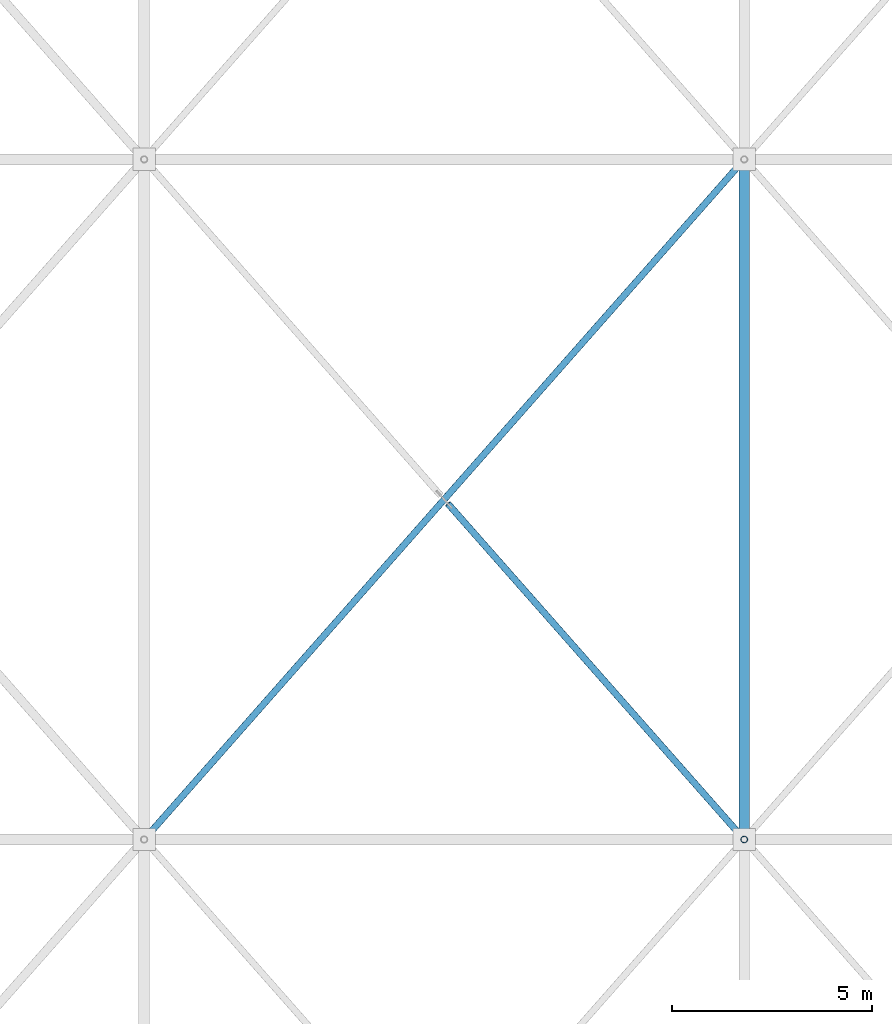
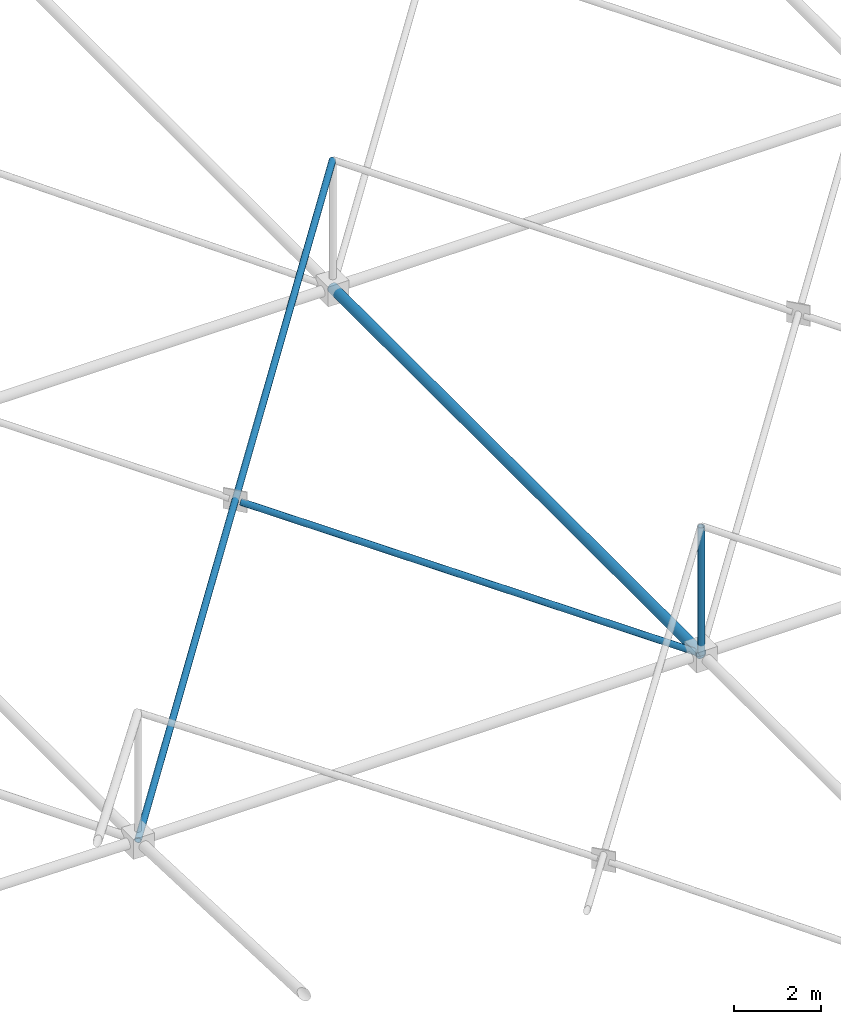
# One storey, part 39 of 224: 4 members.
"""IFC4 building model written with IfcOpenShell, lengths in metres."""

from ifc_helpers import new_model, si_unit, direction, frame, origin, origin_2d, place, context, subcontext, project, spatial, hollow_circle, extrude, material, material_profile, profile_set, type_object, element, save


model = new_model("IFC4")

# Units and contexts
model_context = context("Model", 3, precision=1e-05, world=origin(), true_north=direction((0.0, 1.0)))
body_context = subcontext(model_context, "Body", "Model", "MODEL_VIEW")
ifc_project = project(units=[si_unit("LENGTHUNIT", "METRE"), si_unit("AREAUNIT", "SQUARE_METRE"), si_unit("VOLUMEUNIT", "CUBIC_METRE"), si_unit("PLANEANGLEUNIT", "RADIAN"), si_unit("MASSUNIT", "GRAM", prefix="KILO")], contexts=[model_context])

# Site, building, storey
site_placement = place(None, origin())
site = spatial("IfcSite", under=ifc_project, at=site_placement, CompositionType="ELEMENT")
building_placement = place(site_placement, origin())
building = spatial("IfcBuilding", under=site, at=building_placement, Name="Qamarlyn Nura Convention Centre", CompositionType="ELEMENT")
storey_placement = place(building_placement, frame((0.0, 0.0, 10.800048828125)))
storey = spatial("IfcBuildingStorey", under=building, at=storey_placement, Name="L02", CompositionType="ELEMENT", Elevation=10.800048828125)

# Members
ifc_material = material(Name="Pearl-white PVDF steel ASTM A500 Grade C", Category="steel")
ifc_material_profile_1 = material_profile(ifc_material, hollow_circle(Radius=0.136474609375, WallThickness=0.012451171875, at=origin_2d()), Name="CHS273X12.5")
ifc_profile_set_1 = profile_set([ifc_material_profile_1], Name="Pearl-white PVDF steel ASTM A500 Grade C")
member_type_1 = type_object("IfcMemberType", Name="SF-BC-MAIN", PredefinedType="CHORD", material=ifc_profile_set_1)
member_1_placement = place(storey_placement, frame((30.0, 52.0, 0.800048828125), z_axis=(0.0, 1.0, 0.0), x_axis=(-1.0, 0.0, 0.0)))
element("IfcMember", 1, at=member_1_placement, inside=storey, type_object=member_type_1, Name="ROOF TRUSS space frame bottom chord Y4-4", PredefinedType="CHORD", context=body_context, shape_type="SweptSolid", body=[
    extrude(hollow_circle(Radius=0.136474609375, WallThickness=0.012451171875, at=origin_2d()), origin(), (0.0, 0.0, 1.0), 17.0),
])
ifc_material_profile_2 = material_profile(ifc_material, hollow_circle(Radius=0.084228515625, WallThickness=0.008056640625, at=origin_2d()), Name="CHS168.3X8")
ifc_profile_set_2 = profile_set([ifc_material_profile_2], Name="Pearl-white PVDF steel ASTM A500 Grade C")
member_type_2 = type_object("IfcMemberType", Name="SF-WEB-STD", PredefinedType="BRACE", material=ifc_profile_set_2)
member_2_placement = place(storey_placement, frame((15.0, 52.0, 0.80126953125), z_axis=(0.653441163664, 0.740566652152, 0.15676632084), x_axis=(-0.749837855365, 0.661621637087, 0.0)))
element("IfcMember", 2, at=member_2_placement, inside=storey, type_object=member_type_2, Name="ROOF TRUSS space frame diagonal A 3-4", PredefinedType="BRACE", context=body_context, shape_type="SweptSolid", body=[
    extrude(hollow_circle(Radius=0.084228515625, WallThickness=0.008056640625, at=origin_2d()), origin(), (0.0, 0.0, 1.0), 22.955322265625),
])
member_3_placement = place(storey_placement, frame((30.0, 52.0, 0.800048828125), z_axis=(-0.653430206283, 0.740554233787, 0.156870622929), x_axis=(-0.749837855365, -0.661621637087, 0.0)))
element("IfcMember", 3, at=member_3_placement, inside=storey, type_object=member_type_2, Name="ROOF TRUSS space frame split diagonal B1 3-4", PredefinedType="BRACE", context=body_context, shape_type="SweptSolid", body=[
    extrude(hollow_circle(Radius=0.084228515625, WallThickness=0.008056640625, at=origin_2d()), origin(), (0.0, 0.0, 1.0), 11.337890625),
])
member_4_placement = place(storey_placement, frame((30.0, 52.0, 0.800048828125), z_axis=(0.0, 0.0, 1.0), x_axis=(1.0, 0.0, 0.0)))
element("IfcMember", 4, at=member_4_placement, inside=storey, type_object=member_type_2, Name="ROOF TRUSS space frame vertical 4-4", PredefinedType="BRACE", context=body_context, shape_type="SweptSolid", body=[
    extrude(hollow_circle(Radius=0.084228515625, WallThickness=0.008056640625, at=origin_2d()), origin(), (0.0, 0.0, 1.0), 3.599853515625),
])

save(model, "model.ifc")
